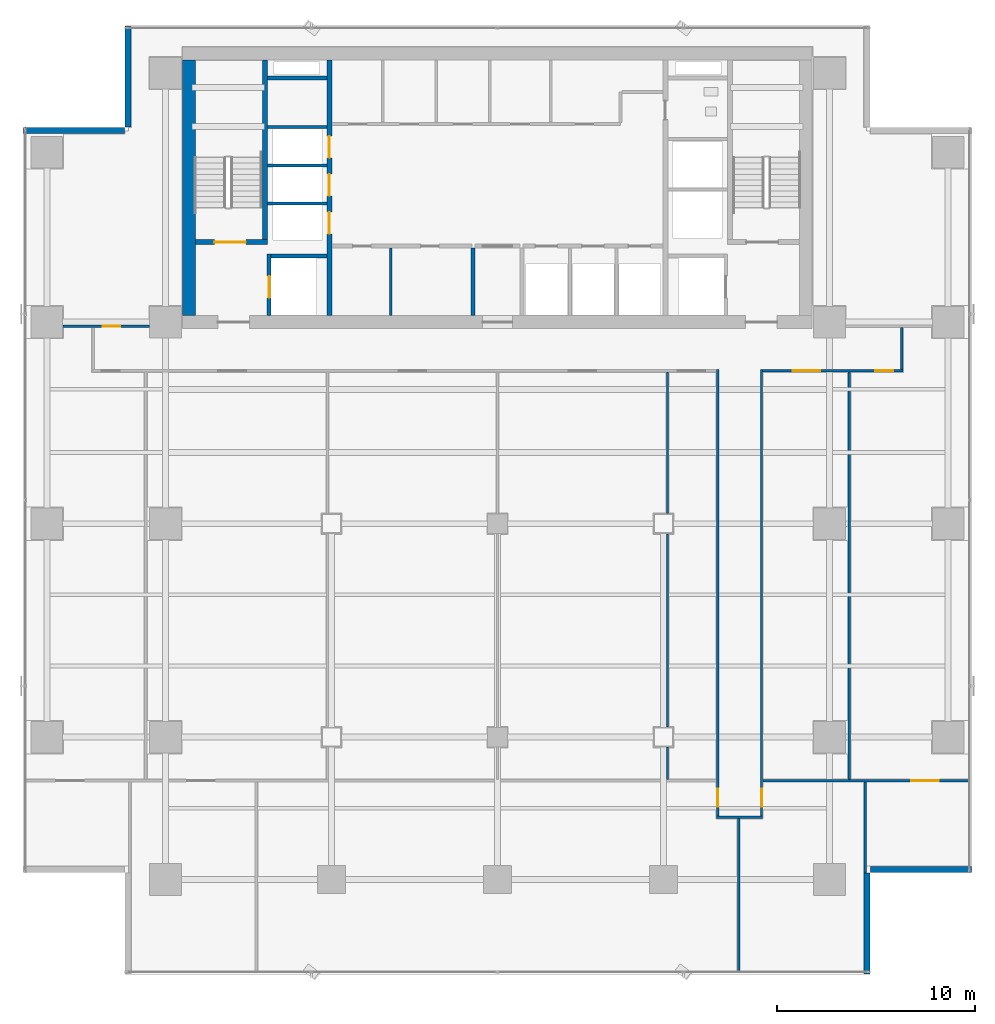
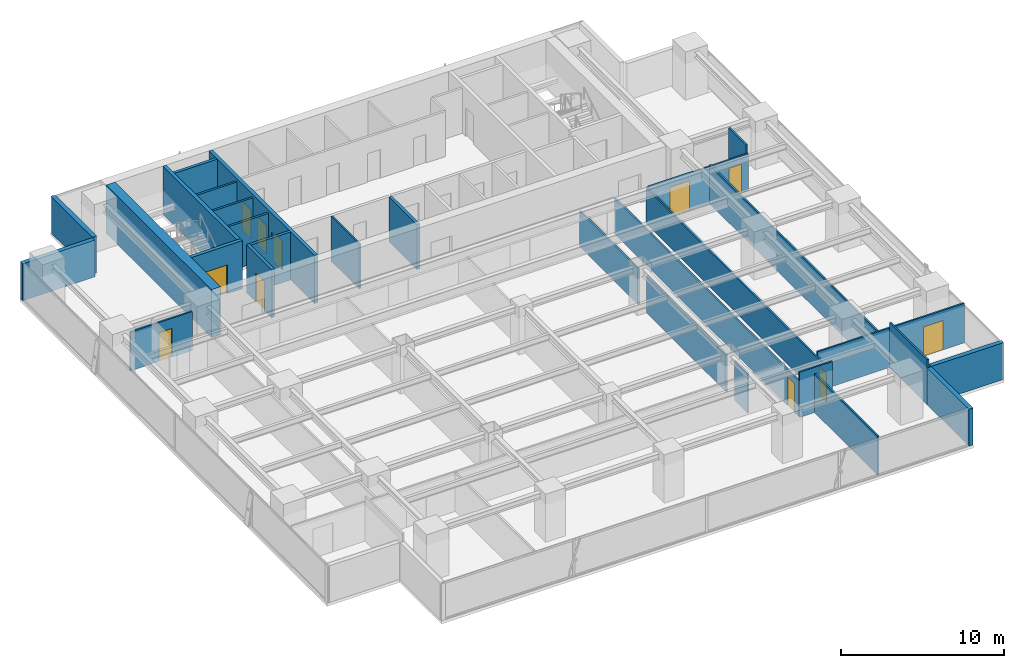
# One storey, part 21 of 28: 29 walls, 11 doors, 11 openings.
"""IFC4 building model written with IfcOpenShell, lengths in metres."""

from ifc_helpers import new_model, si_unit, direction, frame, frame_2d, origin, place, context, subcontext, project, spatial, rectangle, extrude, source, transform, mapped, material, layer, layer_set, type_object, element, fill, save


model = new_model("IFC4")

# Units and contexts
model_context = context("Model", 3, precision=1e-05, world=origin(), true_north=direction((0.0, 1.0)))
body_context = subcontext(model_context, "Body", "Model", "MODEL_VIEW")
ifc_project = project(units=[si_unit("LENGTHUNIT", "METRE"), si_unit("AREAUNIT", "SQUARE_METRE"), si_unit("VOLUMEUNIT", "CUBIC_METRE"), si_unit("PLANEANGLEUNIT", "RADIAN"), si_unit("MASSUNIT", "GRAM", prefix="KILO")], contexts=[model_context])

# Site, building, storey
site_placement = place(None, origin())
site = spatial("IfcSite", under=ifc_project, at=site_placement, CompositionType="ELEMENT")
building_placement = place(site_placement, origin())
building = spatial("IfcBuilding", under=site, at=building_placement, Name="Sumidabori Civic Tower", CompositionType="ELEMENT")
storey_placement = place(building_placement, frame((0.0, 0.0, 182.0)))
storey = spatial("IfcBuildingStorey", under=building, at=storey_placement, Name="L47", CompositionType="ELEMENT", Elevation=182.0)

# Walls
ifc_material_1 = material(Name="Concrete C50/60", Category="concrete")
ifc_layer_1 = layer(ifc_material_1, 0.199951171875, Name="Concrete C50/60")
ifc_layer_set_1 = layer_set([ifc_layer_1], Name="Concrete C50/60")
wall_type_1 = type_object("IfcWallType", Name="WL-SHAFT-200", PredefinedType="SHEAR", material=ifc_layer_set_1)
shared_shape_1 = source(origin(), body_context, "Body", "SweptSolid", [
    extrude(rectangle(XDim=2.824951171875, YDim=0.199951171875, at=frame_2d((1.41259765625, 0.0))), origin(), (0.0, 0.0, 1.0), 3.60009765625),
])
wall_1_placement = place(storey_placement, frame((-11.449951171875, 13.550048828125, 0.0), z_axis=(0.0, 0.0, 1.0), x_axis=(1.0, 0.0, 0.0)))
element("IfcWall", 1, at=wall_1_placement, inside=storey, type_object=wall_type_1, Name="Core Shear Wall L47 EL1-N", PredefinedType="SHEAR", context=body_context, shape_type="MappedRepresentation", body=[
    mapped(shared_shape_1, transform((0.0, 0.0, 0.0), x_axis=(1.0, 0.0, 0.0), y_axis=(0.0, 1.0, 0.0), z_axis=(0.0, 0.0, 1.0), scale=1.0)),
])
shared_shape_2 = source(origin(), body_context, "Body", "SweptSolid", [
    extrude(rectangle(XDim=3.02001953125, YDim=0.199951171875, at=frame_2d((1.510009765625, 0.0))), origin(), (0.0, 0.0, 1.0), 3.60009765625),
])
wall_2_placement = place(storey_placement, frame((-11.64501953125, 22.550048828125, 0.0), z_axis=(0.0, 0.0, 1.0), x_axis=(1.0, 0.0, 0.0)))
element("IfcWall", 2, at=wall_2_placement, inside=storey, type_object=wall_type_1, Name="Core Shear Wall L47 RIS1-S", PredefinedType="SHEAR", context=body_context, shape_type="MappedRepresentation", body=[
    mapped(shared_shape_2, transform((0.0, 0.0, 0.0), x_axis=(1.0, 0.0, 0.0), y_axis=(0.0, 1.0, 0.0), z_axis=(0.0, 0.0, 1.0), scale=1.0)),
])
ifc_material_2 = material(Name="Concrete C60/75", Category="concrete")
ifc_layer_2 = layer(ifc_material_2, 0.64990234375, Name="Concrete C60/75")
ifc_layer_set_2 = layer_set([ifc_layer_2], Name="Concrete C60/75")
wall_type_2 = type_object("IfcWallType", Name="WL-CORE-650", PredefinedType="SHEAR", material=ifc_layer_set_2)
shared_shape_3 = source(origin(), body_context, "Body", "SweptSolid", [
    extrude(rectangle(XDim=12.9501953125, YDim=0.64990234375, at=frame_2d((6.47509765625, 0.0))), origin(), (0.0, 0.0, 1.0), 3.60009765625),
])
wall_3_placement = place(storey_placement, frame((-15.60009765625, 10.52490234375, 0.0), z_axis=(0.0, 0.0, 1.0), x_axis=(0.0, 1.0, 0.0)))
element("IfcWall", 3, at=wall_3_placement, inside=storey, type_object=wall_type_2, Name="Core Shear Wall L47 W", PredefinedType="SHEAR", context=body_context, shape_type="MappedRepresentation", body=[
    mapped(shared_shape_3, transform((0.0, 0.0, 0.0), x_axis=(1.0, 0.0, 0.0), y_axis=(0.0, 1.0, 0.0), z_axis=(0.0, 0.0, 1.0), scale=1.0)),
])

# Wall, openings, doors
ifc_layer_3 = layer(ifc_material_1, 0.25, Name="Concrete C50/60")
ifc_layer_set_3 = layer_set([ifc_layer_3], Name="Concrete C50/60")
wall_type_3 = type_object("IfcWallType", Name="WL-SHAFT-250", PredefinedType="SHEAR", material=ifc_layer_set_3)
shared_shape_4 = source(origin(), body_context, "Body", "SweptSolid", [
    extrude(rectangle(XDim=12.9501953125, YDim=0.25, at=frame_2d((6.47509765625, 0.0))), origin(), (0.0, 0.0, 1.0), 3.60009765625),
])
wall_4_placement = place(storey_placement, frame((-8.5, 10.52490234375, 0.0), z_axis=(0.0, 0.0, 1.0), x_axis=(0.0, 1.0, 0.0)))
wall_4 = element("IfcWall", 4, at=wall_4_placement, inside=storey, type_object=wall_type_3, Name="Core Shear Wall L47 WEB-W", PredefinedType="SHEAR", context=body_context, shape_type="MappedRepresentation", body=[
    mapped(shared_shape_4, transform((0.0, 0.0, 0.0), x_axis=(1.0, 0.0, 0.0), y_axis=(0.0, 1.0, 0.0), z_axis=(0.0, 0.0, 1.0), scale=1.0)),
])
opening_1_placement = place(wall_4_placement, frame((4.14501953125, 0.0, 0.0)))
opening_1 = element("IfcOpeningElement", 5, at=opening_1_placement, cuts=wall_4, Name="Opening LD-1", PredefinedType="OPENING", context=body_context, shape_type="SweptSolid", body=[
    extrude(rectangle(XDim=1.10009765625, YDim=2.14990234375, at=frame_2d((0.550048828125, 1.074951171875))), frame((0.0, 0.136962890625, 0.0), z_axis=(0.0, -1.0, 0.0), x_axis=(1.0, 0.0, 0.0)), (0.0, 0.0, 1.0), 0.27392578125),
])
opening_2_placement = place(wall_4_placement, frame((6.06494140625, 0.0, 0.0)))
opening_2 = element("IfcOpeningElement", 6, at=opening_2_placement, cuts=wall_4, Name="Opening LD-1", PredefinedType="OPENING", context=body_context, shape_type="SweptSolid", body=[
    extrude(rectangle(XDim=1.10009765625, YDim=2.14990234375, at=frame_2d((0.550048828125, 1.074951171875))), frame((0.0, 0.136962890625, 0.0), z_axis=(0.0, -1.0, 0.0), x_axis=(1.0, 0.0, 0.0)), (0.0, 0.0, 1.0), 0.27392578125),
])
opening_3_placement = place(wall_4_placement, frame((7.985107421875, 0.0, 0.0)))
opening_3 = element("IfcOpeningElement", 7, at=opening_3_placement, cuts=wall_4, Name="Opening LD-1", PredefinedType="OPENING", context=body_context, shape_type="SweptSolid", body=[
    extrude(rectangle(XDim=1.10009765625, YDim=2.14990234375, at=frame_2d((0.550048828125, 1.074951171875))), frame((0.0, 0.136962890625, 0.0), z_axis=(0.0, -1.0, 0.0), x_axis=(1.0, 0.0, 0.0)), (0.0, 0.0, 1.0), 0.27392578125),
])
ifc_material_3 = material(Name="Stainless Steel Hairline Finish", Category="steel")
door_type_1 = type_object("IfcDoorType", Name="DR-LD1", OperationType="DOUBLE_DOOR_SLIDING", PredefinedType="DOOR", material=ifc_material_3)
shared_shape_5 = source(origin(), body_context, "Body", "SweptSolid", [
    extrude(rectangle(XDim=1.10009765625, YDim=2.14990234375, at=frame_2d((0.550048828125, 1.074951171875))), frame((0.0, 0.02490234375, 0.0), z_axis=(0.0, -1.0, 0.0), x_axis=(1.0, 0.0, 0.0)), (0.0, 0.0, 1.0), 0.050048828125),
])
door_1_placement = place(opening_1_placement, origin())
door_1 = element("IfcDoor", 8, at=door_1_placement, inside=storey, type_object=door_type_1, Name="Door DR:L47:LD-PLH1", OperationType="DOUBLE_DOOR_SLIDING", OverallHeight=2.14990234375, OverallWidth=1.10009765625, PredefinedType="DOOR", context=body_context, shape_type="MappedRepresentation", body=[
    mapped(shared_shape_5, transform((0.0, 0.0, 0.0), x_axis=(1.0, 0.0, 0.0), y_axis=(0.0, 1.0, 0.0), z_axis=(0.0, 0.0, 1.0), scale=1.0)),
])
fill(opening_1, door_1)
door_2_placement = place(opening_2_placement, origin())
door_2 = element("IfcDoor", 9, at=door_2_placement, inside=storey, type_object=door_type_1, Name="Door DR:L47:LD-PLH2", OperationType="DOUBLE_DOOR_SLIDING", OverallHeight=2.14990234375, OverallWidth=1.10009765625, PredefinedType="DOOR", context=body_context, shape_type="MappedRepresentation", body=[
    mapped(shared_shape_5, transform((0.0, 0.0, 0.0), x_axis=(1.0, 0.0, 0.0), y_axis=(0.0, 1.0, 0.0), z_axis=(0.0, 0.0, 1.0), scale=1.0)),
])
fill(opening_2, door_2)
door_3_placement = place(opening_3_placement, origin())
door_3 = element("IfcDoor", 10, at=door_3_placement, inside=storey, type_object=door_type_1, Name="Door DR:L47:LD-PLH3", OperationType="DOUBLE_DOOR_SLIDING", OverallHeight=2.14990234375, OverallWidth=1.10009765625, PredefinedType="DOOR", context=body_context, shape_type="MappedRepresentation", body=[
    mapped(shared_shape_5, transform((0.0, 0.0, 0.0), x_axis=(1.0, 0.0, 0.0), y_axis=(0.0, 1.0, 0.0), z_axis=(0.0, 0.0, 1.0), scale=1.0)),
])
fill(opening_3, door_3)

# Wall, opening, door
shared_shape_6 = source(origin(), body_context, "Body", "SweptSolid", [
    extrude(rectangle(XDim=3.6298828125, YDim=0.25, at=frame_2d((1.81494140625, 0.0))), origin(), (0.0, 0.0, 1.0), 3.60009765625),
])
wall_5_placement = place(storey_placement, frame((-15.27490234375, 14.25, 0.0), z_axis=(0.0, 0.0, 1.0), x_axis=(1.0, 0.0, 0.0)))
wall_5 = element("IfcWall", 11, at=wall_5_placement, inside=storey, type_object=wall_type_3, Name="Core Shear Wall L47 ST1-S", PredefinedType="SHEAR", context=body_context, shape_type="MappedRepresentation", body=[
    mapped(shared_shape_6, transform((0.0, 0.0, 0.0), x_axis=(1.0, 0.0, 0.0), y_axis=(0.0, 1.0, 0.0), z_axis=(0.0, 0.0, 1.0), scale=1.0)),
])
opening_4_placement = place(wall_5_placement, frame((0.949951171875, 0.0, 0.0)))
opening_4 = element("IfcOpeningElement", 12, at=opening_4_placement, cuts=wall_5, Name="Opening DR-FD4", PredefinedType="OPENING", context=body_context, shape_type="SweptSolid", body=[
    extrude(rectangle(XDim=1.60009765625, YDim=2.14990234375, at=frame_2d((0.800048828125, 1.074951171875))), frame((0.0, 0.136962890625, 0.0), z_axis=(0.0, -1.0, 0.0), x_axis=(1.0, 0.0, 0.0)), (0.0, 0.0, 1.0), 0.27392578125),
])
ifc_material_4 = material(Name="Steel SN490", Category="steel")
door_type_2 = type_object("IfcDoorType", Name="DR-FD4", OperationType="DOUBLE_DOOR_SINGLE_SWING", PredefinedType="DOOR", material=ifc_material_4)
shared_shape_7 = source(origin(), body_context, "Body", "SweptSolid", [
    extrude(rectangle(XDim=1.60009765625, YDim=2.14990234375, at=frame_2d((0.800048828125, 1.074951171875))), frame((0.0, 0.02490234375, 0.0), z_axis=(0.0, -1.0, 0.0), x_axis=(1.0, 0.0, 0.0)), (0.0, 0.0, 1.0), 0.050048828125),
])
door_4_placement = place(opening_4_placement, origin())
door_4 = element("IfcDoor", 13, at=door_4_placement, inside=storey, type_object=door_type_2, Name="Door DR:L47:ST1", OperationType="DOUBLE_DOOR_SINGLE_SWING", OverallHeight=2.14990234375, OverallWidth=1.60009765625, PredefinedType="DOOR", context=body_context, shape_type="MappedRepresentation", body=[
    mapped(shared_shape_7, transform((0.0, 0.0, 0.0), x_axis=(1.0, 0.0, 0.0), y_axis=(0.0, 1.0, 0.0), z_axis=(0.0, 0.0, 1.0), scale=1.0)),
])
fill(opening_4, door_4)

# Wall
shared_shape_8 = source(origin(), body_context, "Body", "SweptSolid", [
    extrude(rectangle(XDim=9.10009765625, YDim=0.25, at=frame_2d((4.550048828125, 0.0))), origin(), (0.0, 0.0, 1.0), 3.60009765625),
])
wall_6_placement = place(storey_placement, frame((-11.77001953125, 14.375, 0.0), z_axis=(0.0, 0.0, 1.0), x_axis=(0.0, 1.0, 0.0)))
element("IfcWall", 14, at=wall_6_placement, inside=storey, type_object=wall_type_3, Name="Core Shear Wall L47 ST1-E", PredefinedType="SHEAR", context=body_context, shape_type="MappedRepresentation", body=[
    mapped(shared_shape_8, transform((0.0, 0.0, 0.0), x_axis=(1.0, 0.0, 0.0), y_axis=(0.0, 1.0, 0.0), z_axis=(0.0, 0.0, 1.0), scale=1.0)),
])

# Wall, opening, door
shared_shape_9 = source(origin(), body_context, "Body", "SweptSolid", [
    extrude(rectangle(XDim=3.125, YDim=0.199951171875, at=frame_2d((1.5625, 0.0))), origin(), (0.0, 0.0, 1.0), 3.60009765625),
])
wall_7_placement = place(storey_placement, frame((-11.550048828125, 10.52490234375, 0.0), z_axis=(0.0, 0.0, 1.0), x_axis=(0.0, 1.0, 0.0)))
wall_7 = element("IfcWall", 15, at=wall_7_placement, inside=storey, type_object=wall_type_1, Name="Core Shear Wall L47 EL1-W", PredefinedType="SHEAR", context=body_context, shape_type="MappedRepresentation", body=[
    mapped(shared_shape_9, transform((0.0, 0.0, 0.0), x_axis=(1.0, 0.0, 0.0), y_axis=(0.0, 1.0, 0.0), z_axis=(0.0, 0.0, 1.0), scale=1.0)),
])
opening_5_placement = place(wall_7_placement, frame((0.89990234375, 0.0, 0.0)))
opening_5 = element("IfcOpeningElement", 16, at=opening_5_placement, cuts=wall_7, Name="Opening LD-2", PredefinedType="OPENING", context=body_context, shape_type="SweptSolid", body=[
    extrude(rectangle(XDim=1.10009765625, YDim=2.14990234375, at=frame_2d((0.550048828125, 1.074951171875))), frame((0.0, 0.11181640625, 0.0), z_axis=(0.0, -1.0, 0.0), x_axis=(1.0, 0.0, 0.0)), (0.0, 0.0, 1.0), 0.223876953125),
])
door_type_3 = type_object("IfcDoorType", Name="DR-LD2", OperationType="DOUBLE_DOOR_SLIDING", PredefinedType="DOOR", material=ifc_material_3)
door_5_placement = place(opening_5_placement, origin())
door_5 = element("IfcDoor", 17, at=door_5_placement, inside=storey, type_object=door_type_3, Name="Door DR:L47:LD-EL1", OperationType="DOUBLE_DOOR_SLIDING", OverallHeight=2.14990234375, OverallWidth=1.10009765625, PredefinedType="DOOR", context=body_context, shape_type="MappedRepresentation", body=[
    mapped(shared_shape_5, transform((0.0, 0.0, 0.0), x_axis=(1.0, 0.0, 0.0), y_axis=(0.0, 1.0, 0.0), z_axis=(0.0, 0.0, 1.0), scale=1.0)),
])
fill(opening_5, door_5)

# Walls
ifc_material_5 = material(Name="Precast concrete C40/50", Category="concrete")
ifc_layer_4 = layer(ifc_material_5, 0.300048828125, Name="Precast concrete C40/50")
ifc_layer_set_4 = layer_set([ifc_layer_4], Name="Precast concrete C40/50")
wall_type_4 = type_object("IfcWallType", Name="WL-EXT-POD300", PredefinedType="STANDARD", material=ifc_layer_set_4)
shared_shape_10 = source(origin(), body_context, "Body", "SweptSolid", [
    extrude(rectangle(XDim=5.110107421875, YDim=0.300048828125, at=frame_2d((2.55517578125, 0.0))), origin(), (0.0, 0.0, 1.0), 2.760009765625),
])
wall_8_placement = place(storey_placement, frame((18.699951171875, -22.780029296875, 0.0), z_axis=(0.0, 0.0, 1.0), x_axis=(0.0, 1.0, 0.0)))
element("IfcWall", 18, at=wall_8_placement, inside=storey, type_object=wall_type_4, Name="Notched Corner Spandrel Band L47-02", PredefinedType="STANDARD", context=body_context, shape_type="MappedRepresentation", body=[
    mapped(shared_shape_10, transform((0.0, 0.0, 0.0), x_axis=(1.0, 0.0, 0.0), y_axis=(0.0, 1.0, 0.0), z_axis=(0.0, 0.0, 1.0), scale=1.0)),
])
shared_shape_11 = source(origin(), body_context, "Body", "SweptSolid", [
    extrude(rectangle(XDim=5.10986328125, YDim=0.300048828125, at=frame_2d((2.554931640625, 0.0))), origin(), (0.0, 0.0, 1.0), 2.760009765625),
])
for number, where, z_axis, x_axis, name in (
    (19, (18.8701171875, -17.5, 0.0), (0.0, 0.0, 1.0), (1.0, 0.0, 0.0), "Notched Corner Spandrel Band L47-03"),
    (20, (-18.699951171875, 25.179931640625, 0.0), (0.0, 0.0, 1.0), (0.0, -1.0, 0.0), "Notched Corner Spandrel Band L47-08"),
    (21, (-18.8701171875, 19.89990234375, 0.0), (0.0, 0.0, 1.0), (-1.0, 0.0, 0.0), "Notched Corner Spandrel Band L47-09"),
):
    element("IfcWall", number, at=place(storey_placement, frame(where, z_axis=z_axis, x_axis=x_axis)), inside=storey, type_object=wall_type_4, Name=name, PredefinedType="STANDARD", context=body_context, shape_type="MappedRepresentation", body=[
        mapped(shared_shape_11, transform((0.0, 0.0, 0.0), x_axis=(1.0, 0.0, 0.0), y_axis=(0.0, 1.0, 0.0), z_axis=(0.0, 0.0, 1.0), scale=1.0)),
    ])
ifc_material_6 = material(Name="Gypsum Plasterboard Acoustic Partition")
ifc_layer_5 = layer(ifc_material_6, 0.14990234375, Name="Gypsum Plasterboard Acoustic Partition")
ifc_layer_set_5 = layer_set([ifc_layer_5], Name="Gypsum Plasterboard Acoustic Partition")
wall_type_5 = type_object("IfcWallType", Name="WL-PART-150", PredefinedType="PARTITIONING", material=ifc_layer_set_5)
shared_shape_12 = source(origin(), body_context, "Body", "SweptSolid", [
    extrude(rectangle(XDim=3.010009765625, YDim=0.14990234375, at=frame_2d((1.5048828125, 0.0))), origin(), (0.0, 0.0, 1.0), 3.3798828125),
])
for number, where, z_axis, x_axis, name in (
    (22, (-11.639892578125, 16.199951171875, 0.0), (0.0, 0.0, 1.0), (1.0, 0.0, 0.0), "Interior Partition WL:L47:DIV-PLH1"),
    (23, (-11.639892578125, 18.1201171875, 0.0), (0.0, 0.0, 1.0), (1.0, 0.0, 0.0), "Interior Partition WL:L47:DIV-PLH2"),
    (24, (-11.639892578125, 20.080078125, 0.0), (0.0, 0.0, 1.0), (1.0, 0.0, 0.0), "Interior Partition WL:L47:DIV-PLH3"),
):
    element("IfcWall", number, at=place(storey_placement, frame(where, z_axis=z_axis, x_axis=x_axis)), inside=storey, type_object=wall_type_5, Name=name, PredefinedType="PARTITIONING", context=body_context, shape_type="MappedRepresentation", body=[
        mapped(shared_shape_12, transform((0.0, 0.0, 0.0), x_axis=(1.0, 0.0, 0.0), y_axis=(0.0, 1.0, 0.0), z_axis=(0.0, 0.0, 1.0), scale=1.0)),
    ])
ifc_material_7 = material(Name="Gypsum Plasterboard Fire Partition")
ifc_layer_6 = layer(ifc_material_7, 0.199951171875, Name="Gypsum Plasterboard Fire Partition")
ifc_layer_set_6 = layer_set([ifc_layer_6], Name="Gypsum Plasterboard Fire Partition")
wall_type_6 = type_object("IfcWallType", Name="WL-PART-FIRE", PredefinedType="PARTITIONING", material=ifc_layer_set_6)
shared_shape_13 = source(origin(), body_context, "Body", "SweptSolid", [
    extrude(rectangle(XDim=3.4150390625, YDim=0.199951171875, at=frame_2d((1.70751953125, 0.0))), origin(), (0.0, 0.0, 1.0), 3.3798828125),
])
wall_9_placement = place(storey_placement, frame((-1.25, 10.52490234375, 0.0), z_axis=(0.0, 0.0, 1.0), x_axis=(0.0, 1.0, 0.0)))
element("IfcWall", 25, at=wall_9_placement, inside=storey, type_object=wall_type_6, Name="Interior Partition WL:L47:THROAT-W", PredefinedType="PARTITIONING", context=body_context, shape_type="MappedRepresentation", body=[
    mapped(shared_shape_13, transform((0.0, 0.0, 0.0), x_axis=(1.0, 0.0, 0.0), y_axis=(0.0, 1.0, 0.0), z_axis=(0.0, 0.0, 1.0), scale=1.0)),
])

# Wall, opening, door
ifc_layer_7 = layer(ifc_material_6, 0.1201171875, Name="Gypsum Plasterboard Acoustic Partition")
ifc_layer_set_7 = layer_set([ifc_layer_7], Name="Gypsum Plasterboard Acoustic Partition")
wall_type_7 = type_object("IfcWallType", Name="WL-PART-120", PredefinedType="PARTITIONING", material=ifc_layer_set_7)
shared_shape_14 = source(origin(), body_context, "Body", "SweptSolid", [
    extrude(rectangle(XDim=4.3798828125, YDim=0.1201171875, at=frame_2d((2.18994140625, 0.0))), origin(), (0.0, 0.0, 1.0), 2.9150390625),
])
wall_10_placement = place(storey_placement, frame((-21.989990234375, 10.0, 0.0), z_axis=(0.0, 0.0, 1.0), x_axis=(1.0, 0.0, 0.0)))
wall_10 = element("IfcWall", 26, at=wall_10_placement, inside=storey, type_object=wall_type_7, Name="Interior Partition WL:L47:FLK-NW", PredefinedType="PARTITIONING", context=body_context, shape_type="MappedRepresentation", body=[
    mapped(shared_shape_14, transform((0.0, 0.0, 0.0), x_axis=(1.0, 0.0, 0.0), y_axis=(0.0, 1.0, 0.0), z_axis=(0.0, 0.0, 1.0), scale=1.0)),
])
opening_6_placement = place(wall_10_placement, frame((2.014892578125, 0.0, 0.0)))
opening_6 = element("IfcOpeningElement", 27, at=opening_6_placement, cuts=wall_10, Name="Opening DR-1", PredefinedType="OPENING", context=body_context, shape_type="SweptSolid", body=[
    extrude(rectangle(XDim=0.89990234375, YDim=2.14990234375, at=frame_2d((0.449951171875, 1.074951171875))), frame((0.0, 0.072021484375, 0.0), z_axis=(0.0, -1.0, 0.0), x_axis=(1.0, 0.0, 0.0)), (0.0, 0.0, 1.0), 0.14404296875),
])
ifc_material_8 = material(Name="Japanese Hinoki Timber", Category="wood")
door_type_4 = type_object("IfcDoorType", Name="DR-INT-900", OperationType="NOTDEFINED", PredefinedType="DOOR", material=ifc_material_8)
shared_shape_15 = source(origin(), body_context, "Body", "SweptSolid", [
    extrude(rectangle(XDim=0.89990234375, YDim=2.14990234375, at=frame_2d((0.449951171875, 1.074951171875))), frame((0.0, 0.02490234375, 0.0), z_axis=(0.0, -1.0, 0.0), x_axis=(1.0, 0.0, 0.0)), (0.0, 0.0, 1.0), 0.050048828125),
])
door_6_placement = place(opening_6_placement, origin())
door_6 = element("IfcDoor", 28, at=door_6_placement, inside=storey, type_object=door_type_4, Name="Door DR:L47:FLK-NW", OperationType="SINGLE_SWING_LEFT", OverallHeight=2.14990234375, OverallWidth=0.89990234375, PredefinedType="DOOR", context=body_context, shape_type="MappedRepresentation", body=[
    mapped(shared_shape_15, transform((0.0, 0.0, 0.0), x_axis=(1.0, 0.0, 0.0), y_axis=(0.0, 1.0, 0.0), z_axis=(0.0, 0.0, 1.0), scale=1.0)),
])
fill(opening_6, door_6)

shared_shape_16 = source(origin(), body_context, "Body", "SweptSolid", [
    extrude(rectangle(XDim=22.594970703125, YDim=0.1201171875, at=frame_2d((11.29736328125, 0.0))), origin(), (0.0, 0.0, 1.0), 2.6650390625),
])
wall_11_placement = place(storey_placement, frame((11.139892578125, -14.794921875, 0.0), z_axis=(0.0, 0.0, 1.0), x_axis=(0.0, 1.0, 0.0)))
wall_11 = element("IfcWall", 29, at=wall_11_placement, inside=storey, type_object=wall_type_7, Name="Interior Partition WL:L47:CORR-VL-W", PredefinedType="PARTITIONING", context=body_context, shape_type="MappedRepresentation", body=[
    mapped(shared_shape_16, transform((0.0, 0.0, 0.0), x_axis=(1.0, 0.0, 0.0), y_axis=(0.0, 1.0, 0.0), z_axis=(0.0, 0.0, 1.0), scale=1.0)),
])
opening_7_placement = place(wall_11_placement, frame((0.4775390625, 0.0, 0.0)))
opening_7 = element("IfcOpeningElement", 30, at=opening_7_placement, cuts=wall_11, Name="Opening DR-1", PredefinedType="OPENING", context=body_context, shape_type="SweptSolid", body=[
    extrude(rectangle(XDim=0.89990234375, YDim=2.14990234375, at=frame_2d((0.449951171875, 1.074951171875))), frame((0.0, 0.072021484375, 0.0), z_axis=(0.0, -1.0, 0.0), x_axis=(1.0, 0.0, 0.0)), (0.0, 0.0, 1.0), 0.14404296875),
])
door_7_placement = place(opening_7_placement, origin())
door_7 = element("IfcDoor", 31, at=door_7_placement, inside=storey, type_object=door_type_4, Name="Door DR:L47:D09", OperationType="SINGLE_SWING_LEFT", OverallHeight=2.14990234375, OverallWidth=0.89990234375, PredefinedType="DOOR", context=body_context, shape_type="MappedRepresentation", body=[
    mapped(shared_shape_15, transform((0.0, 0.0, 0.0), x_axis=(1.0, 0.0, 0.0), y_axis=(0.0, 1.0, 0.0), z_axis=(0.0, 0.0, 1.0), scale=1.0)),
])
fill(opening_7, door_7)

wall_12_placement = place(storey_placement, frame((13.360107421875, -14.794921875, 0.0), z_axis=(0.0, 0.0, 1.0), x_axis=(0.0, 1.0, 0.0)))
wall_12 = element("IfcWall", 32, at=wall_12_placement, inside=storey, type_object=wall_type_7, Name="Interior Partition WL:L47:CORR-VL-E", PredefinedType="PARTITIONING", context=body_context, shape_type="MappedRepresentation", body=[
    mapped(shared_shape_16, transform((0.0, 0.0, 0.0), x_axis=(1.0, 0.0, 0.0), y_axis=(0.0, 1.0, 0.0), z_axis=(0.0, 0.0, 1.0), scale=1.0)),
])
opening_8_placement = place(wall_12_placement, frame((0.4775390625, 0.0, 0.0)))
opening_8 = element("IfcOpeningElement", 33, at=opening_8_placement, cuts=wall_12, Name="Opening DR-1", PredefinedType="OPENING", context=body_context, shape_type="SweptSolid", body=[
    extrude(rectangle(XDim=0.89990234375, YDim=2.14990234375, at=frame_2d((0.449951171875, 1.074951171875))), frame((0.0, 0.072021484375, 0.0), z_axis=(0.0, -1.0, 0.0), x_axis=(1.0, 0.0, 0.0)), (0.0, 0.0, 1.0), 0.14404296875),
])
door_8_placement = place(opening_8_placement, origin())
door_8 = element("IfcDoor", 34, at=door_8_placement, inside=storey, type_object=door_type_4, Name="Door DR:L47:D10", OperationType="SINGLE_SWING_RIGHT", OverallHeight=2.14990234375, OverallWidth=0.89990234375, PredefinedType="DOOR", context=body_context, shape_type="MappedRepresentation", body=[
    mapped(shared_shape_15, transform((0.0, 0.0, 0.0), x_axis=(1.0, 0.0, 0.0), y_axis=(0.0, 1.0, 0.0), z_axis=(0.0, 0.0, 1.0), scale=1.0)),
])
fill(opening_8, door_8)

# Wall
shared_shape_17 = source(origin(), body_context, "Body", "SweptSolid", [
    extrude(rectangle(XDim=3.4150390625, YDim=0.1201171875, at=frame_2d((1.70751953125, 0.0))), origin(), (0.0, 0.0, 1.0), 3.3798828125),
])
wall_13_placement = place(storey_placement, frame((-5.39990234375, 10.52490234375, 0.0), z_axis=(0.0, 0.0, 1.0), x_axis=(0.0, 1.0, 0.0)))
element("IfcWall", 35, at=wall_13_placement, inside=storey, type_object=wall_type_7, Name="Interior Partition WL:L47:REC-B1-SP", PredefinedType="PARTITIONING", context=body_context, shape_type="MappedRepresentation", body=[
    mapped(shared_shape_17, transform((0.0, 0.0, 0.0), x_axis=(1.0, 0.0, 0.0), y_axis=(0.0, 1.0, 0.0), z_axis=(0.0, 0.0, 1.0), scale=1.0)),
])

# Wall, openings, doors
shared_shape_18 = source(origin(), body_context, "Body", "SweptSolid", [
    extrude(rectangle(XDim=7.10009765625, YDim=0.1201171875, at=frame_2d((3.550048828125, 0.0))), origin(), (0.0, 0.0, 1.0), 2.764892578125),
])
wall_14_placement = place(storey_placement, frame((13.419921875, 7.739990234375, 0.0), z_axis=(0.0, 0.0, 1.0), x_axis=(1.0, 0.0, 0.0)))
wall_14 = element("IfcWall", 36, at=wall_14_placement, inside=storey, type_object=wall_type_7, Name="Interior Partition WL:L47:CORR-SE", PredefinedType="PARTITIONING", context=body_context, shape_type="MappedRepresentation", body=[
    mapped(shared_shape_18, transform((0.0, 0.0, 0.0), x_axis=(1.0, 0.0, 0.0), y_axis=(0.0, 1.0, 0.0), z_axis=(0.0, 0.0, 1.0), scale=1.0)),
])
opening_9_placement = place(wall_14_placement, frame((5.699951171875, 0.0, 0.0)))
opening_9 = element("IfcOpeningElement", 37, at=opening_9_placement, cuts=wall_14, Name="Opening DR-1", PredefinedType="OPENING", context=body_context, shape_type="SweptSolid", body=[
    extrude(rectangle(XDim=0.89990234375, YDim=2.14990234375, at=frame_2d((0.449951171875, 1.074951171875))), frame((0.0, 0.072021484375, 0.0), z_axis=(0.0, -1.0, 0.0), x_axis=(1.0, 0.0, 0.0)), (0.0, 0.0, 1.0), 0.14404296875),
])
opening_10_placement = place(wall_14_placement, frame((1.52001953125, 0.0, 0.0)))
opening_10 = element("IfcOpeningElement", 38, at=opening_10_placement, cuts=wall_14, Name="Opening DR-5", PredefinedType="OPENING", context=body_context, shape_type="SweptSolid", body=[
    extrude(rectangle(XDim=1.39990234375, YDim=2.199951171875, at=frame_2d((0.699951171875, 1.10009765625))), frame((0.0, 0.072021484375, 0.0), z_axis=(0.0, -1.0, 0.0), x_axis=(1.0, 0.0, 0.0)), (0.0, 0.0, 1.0), 0.14404296875),
])
door_9_placement = place(opening_9_placement, origin())
door_9 = element("IfcDoor", 39, at=door_9_placement, inside=storey, type_object=door_type_4, Name="Door DR:L47:D03", OperationType="SINGLE_SWING_LEFT", OverallHeight=2.14990234375, OverallWidth=0.89990234375, PredefinedType="DOOR", context=body_context, shape_type="MappedRepresentation", body=[
    mapped(shared_shape_15, transform((0.0, 0.0, 0.0), x_axis=(1.0, 0.0, 0.0), y_axis=(0.0, 1.0, 0.0), z_axis=(0.0, 0.0, 1.0), scale=1.0)),
])
fill(opening_9, door_9)
ifc_material_9 = material(Name="Anodised Bronze Aluminium AW-6063-T6", Category="aluminium")
door_type_5 = type_object("IfcDoorType", Name="DR-DBL-1400", OperationType="DOUBLE_DOOR_SINGLE_SWING", PredefinedType="DOOR", material=ifc_material_9)
shared_shape_19 = source(origin(), body_context, "Body", "SweptSolid", [
    extrude(rectangle(XDim=1.39990234375, YDim=2.199951171875, at=frame_2d((0.699951171875, 1.10009765625))), frame((0.0, 0.02490234375, 0.0), z_axis=(0.0, -1.0, 0.0), x_axis=(1.0, 0.0, 0.0)), (0.0, 0.0, 1.0), 0.050048828125),
])
door_10_placement = place(opening_10_placement, origin())
door_10 = element("IfcDoor", 40, at=door_10_placement, inside=storey, type_object=door_type_5, Name="Door DR:L47:D04", OperationType="DOUBLE_DOOR_SINGLE_SWING", OverallHeight=2.199951171875, OverallWidth=1.39990234375, PredefinedType="DOOR", context=body_context, shape_type="MappedRepresentation", body=[
    mapped(shared_shape_19, transform((0.0, 0.0, 0.0), x_axis=(1.0, 0.0, 0.0), y_axis=(0.0, 1.0, 0.0), z_axis=(0.0, 0.0, 1.0), scale=1.0)),
])
fill(opening_10, door_10)

# Walls
shared_shape_20 = source(origin(), body_context, "Body", "SweptSolid", [
    extrude(rectangle(XDim=2.33984375, YDim=0.1201171875, at=frame_2d((1.169921875, 0.0))), origin(), (0.0, 0.0, 1.0), 3.3798828125),
])
wall_15_placement = place(storey_placement, frame((11.080078125, -14.860107421875, 0.0), z_axis=(0.0, 0.0, 1.0), x_axis=(1.0, 0.0, 0.0)))
element("IfcWall", 41, at=wall_15_placement, inside=storey, type_object=wall_type_7, Name="Interior Partition WL:L47:CORR-CAP-E", PredefinedType="PARTITIONING", context=body_context, shape_type="MappedRepresentation", body=[
    mapped(shared_shape_20, transform((0.0, 0.0, 0.0), x_axis=(1.0, 0.0, 0.0), y_axis=(0.0, 1.0, 0.0), z_axis=(0.0, 0.0, 1.0), scale=1.0)),
])
shared_shape_21 = source(origin(), body_context, "Body", "SweptSolid", [
    extrude(rectangle(XDim=2.130126953125, YDim=0.1201171875, at=frame_2d((1.06494140625, 0.0))), origin(), (0.0, 0.0, 1.0), 3.3798828125),
])
wall_16_placement = place(storey_placement, frame((20.4599609375, 7.804931640625, 0.0), z_axis=(0.0, 0.0, 1.0), x_axis=(0.0, 1.0, 0.0)))
element("IfcWall", 42, at=wall_16_placement, inside=storey, type_object=wall_type_7, Name="Interior Partition WL:L47:CORR-VNE", PredefinedType="PARTITIONING", context=body_context, shape_type="MappedRepresentation", body=[
    mapped(shared_shape_21, transform((0.0, 0.0, 0.0), x_axis=(1.0, 0.0, 0.0), y_axis=(0.0, 1.0, 0.0), z_axis=(0.0, 0.0, 1.0), scale=1.0)),
])

# Wall, opening, door
shared_shape_22 = source(origin(), body_context, "Body", "SweptSolid", [
    extrude(rectangle(XDim=10.425048828125, YDim=0.1201171875, at=frame_2d((5.21240234375, 0.0))), origin(), (0.0, 0.0, 1.0), 2.965087890625),
])
wall_17_placement = place(storey_placement, frame((13.425048828125, -13.0, 0.0), z_axis=(0.0, 0.0, 1.0), x_axis=(1.0, 0.0, 0.0)))
wall_17 = element("IfcWall", 43, at=wall_17_placement, inside=storey, type_object=wall_type_7, Name="Interior Partition WL:L47:BAND-Y-2", PredefinedType="PARTITIONING", context=body_context, shape_type="MappedRepresentation", body=[
    mapped(shared_shape_22, transform((0.0, 0.0, 0.0), x_axis=(1.0, 0.0, 0.0), y_axis=(0.0, 1.0, 0.0), z_axis=(0.0, 0.0, 1.0), scale=1.0)),
])
opening_11_placement = place(wall_17_placement, frame((7.510009765625, 0.0, 0.0)))
opening_11 = element("IfcOpeningElement", 44, at=opening_11_placement, cuts=wall_17, Name="Opening DR-5", PredefinedType="OPENING", context=body_context, shape_type="SweptSolid", body=[
    extrude(rectangle(XDim=1.39990234375, YDim=2.199951171875, at=frame_2d((0.699951171875, 1.10009765625))), frame((0.0, 0.072021484375, 0.0), z_axis=(0.0, -1.0, 0.0), x_axis=(1.0, 0.0, 0.0)), (0.0, 0.0, 1.0), 0.14404296875),
])
door_11_placement = place(opening_11_placement, origin())
door_11 = element("IfcDoor", 45, at=door_11_placement, inside=storey, type_object=door_type_5, Name="Door DR:L47:D12", OperationType="DOUBLE_DOOR_SINGLE_SWING", OverallHeight=2.199951171875, OverallWidth=1.39990234375, PredefinedType="DOOR", context=body_context, shape_type="MappedRepresentation", body=[
    mapped(shared_shape_19, transform((0.0, 0.0, 0.0), x_axis=(1.0, 0.0, 0.0), y_axis=(0.0, 1.0, 0.0), z_axis=(0.0, 0.0, 1.0), scale=1.0)),
])
fill(opening_11, door_11)

# Walls
shared_shape_23 = source(origin(), body_context, "Body", "SweptSolid", [
    extrude(rectangle(XDim=20.610107421875, YDim=0.1201171875, at=frame_2d((10.30517578125, 0.0))), origin(), (0.0, 0.0, 1.0), 2.9150390625),
])
wall_18_placement = place(storey_placement, frame((17.800048828125, -12.93505859375, 0.0), z_axis=(0.0, 0.0, 1.0), x_axis=(0.0, 1.0, 0.0)))
element("IfcWall", 46, at=wall_18_placement, inside=storey, type_object=wall_type_7, Name="Interior Partition WL:L47:VX-N5", PredefinedType="PARTITIONING", context=body_context, shape_type="MappedRepresentation", body=[
    mapped(shared_shape_23, transform((0.0, 0.0, 0.0), x_axis=(1.0, 0.0, 0.0), y_axis=(0.0, 1.0, 0.0), z_axis=(0.0, 0.0, 1.0), scale=1.0)),
])
shared_shape_24 = source(origin(), body_context, "Body", "SweptSolid", [
    extrude(rectangle(XDim=1.625, YDim=0.1201171875, at=frame_2d((0.8125, 0.0))), origin(), (0.0, 0.0, 1.0), 2.965087890625),
])
wall_19_placement = place(storey_placement, frame((8.60009765625, -12.93505859375, 0.0), z_axis=(0.0, 0.0, 1.0), x_axis=(0.0, 1.0, 0.0)))
element("IfcWall", 47, at=wall_19_placement, inside=storey, type_object=wall_type_7, Name="Interior Partition WL:L47:VX-N4-1", PredefinedType="PARTITIONING", context=body_context, shape_type="MappedRepresentation", body=[
    mapped(shared_shape_24, transform((0.0, 0.0, 0.0), x_axis=(1.0, 0.0, 0.0), y_axis=(0.0, 1.0, 0.0), z_axis=(0.0, 0.0, 1.0), scale=1.0)),
])
shared_shape_25 = source(origin(), body_context, "Body", "SweptSolid", [
    extrude(rectangle(XDim=7.1650390625, YDim=0.1201171875, at=frame_2d((3.58251953125, 0.0))), origin(), (0.0, 0.0, 1.0), 2.6650390625),
])
wall_20_placement = place(storey_placement, frame((8.60009765625, 0.510009765625, 0.0), z_axis=(0.0, 0.0, 1.0), x_axis=(0.0, 1.0, 0.0)))
element("IfcWall", 48, at=wall_20_placement, inside=storey, type_object=wall_type_7, Name="Interior Partition WL:L47:VX-N4-3", PredefinedType="PARTITIONING", context=body_context, shape_type="MappedRepresentation", body=[
    mapped(shared_shape_25, transform((0.0, 0.0, 0.0), x_axis=(1.0, 0.0, 0.0), y_axis=(0.0, 1.0, 0.0), z_axis=(0.0, 0.0, 1.0), scale=1.0)),
])
shared_shape_26 = source(origin(), body_context, "Body", "SweptSolid", [
    extrude(rectangle(XDim=7.724853515625, YDim=0.1201171875, at=frame_2d((3.8623046875, 0.0))), origin(), (0.0, 0.0, 1.0), 2.9150390625),
])
wall_21_placement = place(storey_placement, frame((12.199951171875, -22.64990234375, 0.0), z_axis=(0.0, 0.0, 1.0), x_axis=(0.0, 1.0, 0.0)))
element("IfcWall", 49, at=wall_21_placement, inside=storey, type_object=wall_type_7, Name="Interior Partition WL:L47:VX-S3", PredefinedType="PARTITIONING", context=body_context, shape_type="MappedRepresentation", body=[
    mapped(shared_shape_26, transform((0.0, 0.0, 0.0), x_axis=(1.0, 0.0, 0.0), y_axis=(0.0, 1.0, 0.0), z_axis=(0.0, 0.0, 1.0), scale=1.0)),
])
shared_shape_27 = source(origin(), body_context, "Body", "SweptSolid", [
    extrude(rectangle(XDim=9.780029296875, YDim=0.1201171875, at=frame_2d((4.89013671875, 0.0))), origin(), (0.0, 0.0, 1.0), 2.764892578125),
])
wall_22_placement = place(storey_placement, frame((8.60009765625, -10.2900390625, 0.0), z_axis=(0.0, 0.0, 1.0), x_axis=(0.0, 1.0, 0.0)))
element("IfcWall", 50, at=wall_22_placement, inside=storey, type_object=wall_type_7, Name="Interior Partition WL:L47:VX-N4-2", PredefinedType="PARTITIONING", context=body_context, shape_type="MappedRepresentation", body=[
    mapped(shared_shape_27, transform((0.0, 0.0, 0.0), x_axis=(1.0, 0.0, 0.0), y_axis=(0.0, 1.0, 0.0), z_axis=(0.0, 0.0, 1.0), scale=1.0)),
])
shared_shape_28 = source(origin(), body_context, "Body", "SweptSolid", [
    extrude(rectangle(XDim=4.59716796875, YDim=0.1201171875, at=frame_2d((2.298583984375, 0.0))), origin(), (0.0, 0.0, 1.0), 3.3798828125),
])
wall_23_placement = place(storey_placement, frame((18.60009765625, -17.662109375, 0.0), z_axis=(0.0, 0.0, 1.0), x_axis=(0.0, 1.0, 0.0)))
element("IfcWall", 51, at=wall_23_placement, inside=storey, type_object=wall_type_7, Name="Interior Partition WL:L47:VX-S4", PredefinedType="PARTITIONING", context=body_context, shape_type="MappedRepresentation", body=[
    mapped(shared_shape_28, transform((0.0, 0.0, 0.0), x_axis=(1.0, 0.0, 0.0), y_axis=(0.0, 1.0, 0.0), z_axis=(0.0, 0.0, 1.0), scale=1.0)),
])

save(model, "model.ifc")
